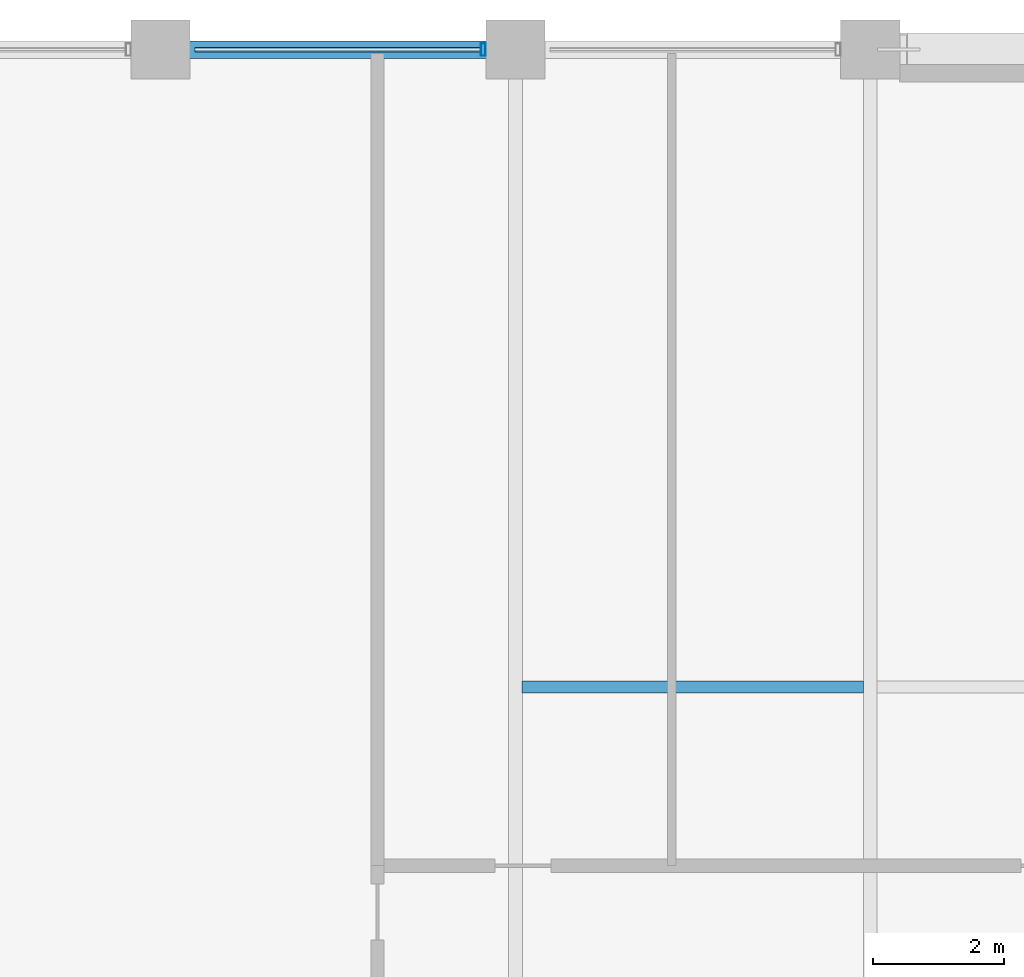
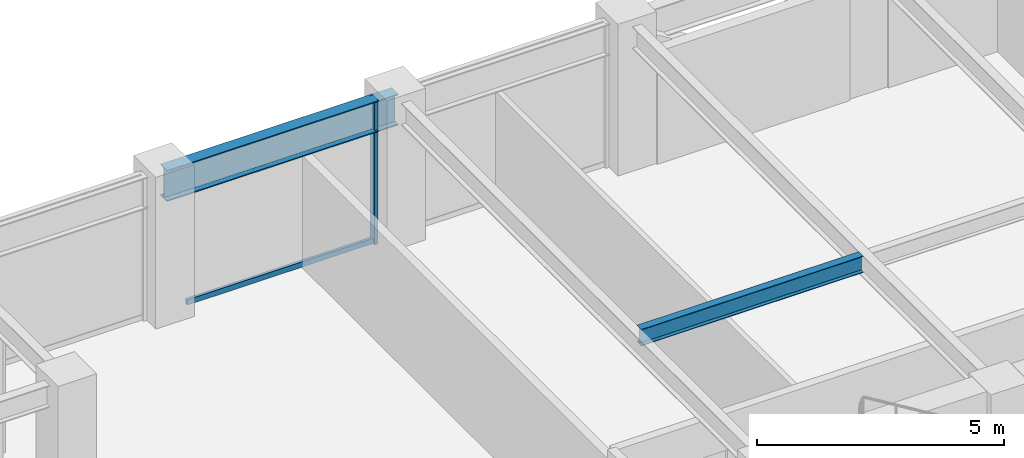
# One storey, part 19 of 32: 2 beams, 2 members, 1 element without a shape of its own.
"""IFC4 building model written with IfcOpenShell, lengths in metres."""

from ifc_helpers import new_model, si_unit, direction, frame, origin, origin_2d, place, context, subcontext, project, spatial, hollow_rectangle, i_section, extrude, material, layer, layer_set, material_profile, profile_set, type_object, element, aggregate, save


model = new_model("IFC4")

# Units and contexts
model_context = context("Model", 3, precision=1e-05, world=origin(), true_north=direction((0.0, 1.0)))
body_context = subcontext(model_context, "Body", "Model", "MODEL_VIEW")
ifc_project = project(units=[si_unit("LENGTHUNIT", "METRE"), si_unit("AREAUNIT", "SQUARE_METRE"), si_unit("VOLUMEUNIT", "CUBIC_METRE"), si_unit("PLANEANGLEUNIT", "RADIAN"), si_unit("MASSUNIT", "GRAM", prefix="KILO")], contexts=[model_context])

# Site, building, storey
site_placement = place(None, origin())
site = spatial("IfcSite", under=ifc_project, at=site_placement, CompositionType="ELEMENT")
building_placement = place(site_placement, origin())
building = spatial("IfcBuilding", under=site, at=building_placement, Name="Surkhivell Harbour Commons", CompositionType="ELEMENT")
storey_placement = place(building_placement, frame((0.0, 0.0, 201.0)))
storey = spatial("IfcBuildingStorey", under=building, at=storey_placement, Name="L52", CompositionType="ELEMENT", Elevation=201.0)

# Beams
ifc_material_1 = material(Name="Steel S355", Category="steel")
ifc_material_profile_1 = material_profile(ifc_material_1, i_section(OverallWidth=0.178955078125, OverallDepth=0.408935546875, WebThickness=0.0087890625, FlangeThickness=0.014404296875, at=origin_2d()), Name="UB406x178x67")
ifc_profile_set_1 = profile_set([ifc_material_profile_1], Name="Steel S355")
beam_type_1 = type_object("IfcBeamType", Name="BM-JST-406", PredefinedType="JOIST", material=ifc_profile_set_1)
beam_1_placement = place(storey_placement, frame((-10.696044921875, 16.199951171875, 3.365478515625), z_axis=(1.0, 0.0, 0.0), x_axis=(0.0, 1.0, 0.0)))
element("IfcBeam", 1, at=beam_1_placement, inside=storey, type_object=beam_type_1, Name="L52 North Composite Joist (-10.8)", PredefinedType="JOIST", context=body_context, shape_type="SweptSolid", body=[
    extrude(i_section(OverallWidth=0.178955078125, OverallDepth=0.408935546875, WebThickness=0.0087890625, FlangeThickness=0.014404296875, at=origin_2d()), origin(), (0.0, 0.0, 1.0), 5.192138671875),
])
ifc_material_profile_2 = material_profile(ifc_material_1, i_section(OverallWidth=0.26806640625, OverallDepth=0.77001953125, WebThickness=0.015625, FlangeThickness=0.025390625, at=origin_2d()), Name="UB762x267x197")
ifc_profile_set_2 = profile_set([ifc_material_profile_2], Name="Steel S355")
beam_type_2 = type_object("IfcBeamType", Name="BM-SPN-762", PredefinedType="SPANDREL", material=ifc_profile_set_2)
beam_2_placement = place(storey_placement, frame((-16.199951171875, 25.89990234375, 3.18505859375), z_axis=(1.0, 0.0, 0.0), x_axis=(0.0, 1.0, 0.0)))
element("IfcBeam", 2, at=beam_2_placement, inside=storey, type_object=beam_type_2, Name="L52 Tube Spandrel (-16.2,25.9)", PredefinedType="SPANDREL", context=body_context, shape_type="SweptSolid", body=[
    extrude(i_section(OverallWidth=0.26806640625, OverallDepth=0.77001953125, WebThickness=0.015625, FlangeThickness=0.025390625, at=origin_2d()), origin(), (0.0, 0.0, 1.0), 5.39990234375),
])

# Curtain wall, members
ifc_material_2 = material(Name="Anodised pale-metal aluminium and insulated glazing", Category="aluminium")
ifc_layer = layer(ifc_material_2, 0.18994140625)
ifc_layer_set = layer_set([ifc_layer], Name="Anodised pale-metal aluminium and insulated glazing")
curtain_wall_type = type_object("IfcCurtainWallType", Name="CW-SYS-Z3", PredefinedType="NOTDEFINED", material=ifc_layer_set)
curtain_wall_placement = place(storey_placement, origin())
curtain_wall = element("IfcCurtainWall", 3, at=curtain_wall_placement, inside=storey, type_object=curtain_wall_type, Name="L52 Curtain Wall CW-L52-E07S2", PredefinedType="NOTDEFINED")
ifc_material_3 = material(Name="Anodised pale-metal aluminium alloy 6063-T6", Category="aluminium")
ifc_material_profile_3 = material_profile(ifc_material_3, hollow_rectangle(XDim=0.074951171875, YDim=0.18994140625, WallThickness=0.00390625, at=origin_2d()), Name="ALU-MULL-75x190")
ifc_profile_set_3 = profile_set([ifc_material_profile_3], Name="Anodised pale-metal aluminium alloy 6063-T6")
member_type_1 = type_object("IfcMemberType", Name="CWM-190", PredefinedType="MULLION", material=ifc_profile_set_3)
member_1_placement = place(storey_placement, frame((-11.28955078125, 25.89990234375, 0.0), z_axis=(0.0, 0.0, 1.0), x_axis=(-1.0, 0.0, 0.0)))
member_1 = element("IfcMember", 4, at=member_1_placement, type_object=member_type_1, Name="CW-Z3 mullion 2", PredefinedType="MULLION", context=body_context, shape_type="SweptSolid", body=[
    extrude(hollow_rectangle(XDim=0.074951171875, YDim=0.18994140625, WallThickness=0.00390625, at=origin_2d()), origin(), (0.0, 0.0, 1.0), 3.570068359375),
])
ifc_material_4 = material(Name="Champagne anodised aluminium alloy 6063-T6", Category="aluminium")
ifc_material_profile_4 = material_profile(ifc_material_4, hollow_rectangle(XDim=0.070068359375, YDim=0.1298828125, WallThickness=0.00341796875, at=origin_2d()), Name="ALU-TRAN-70x130")
ifc_profile_set_4 = profile_set([ifc_material_profile_4], Name="Champagne anodised aluminium alloy 6063-T6")
member_type_2 = type_object("IfcMemberType", Name="CWT-130", PredefinedType="USERDEFINED", material=ifc_profile_set_4)
member_2_placement = place(storey_placement, frame((-11.326904296875, 25.89990234375, 0.06494140625), z_axis=(-1.0, 0.0, 0.0), x_axis=(0.0, -1.0, 0.0)))
member_2 = element("IfcMember", 5, at=member_2_placement, type_object=member_type_2, Name="CW-Z3 transom 2.1", ObjectType="TRANSOM", PredefinedType="USERDEFINED", context=body_context, shape_type="SweptSolid", body=[
    extrude(hollow_rectangle(XDim=0.070068359375, YDim=0.1298828125, WallThickness=0.00341796875, at=origin_2d()), origin(), (0.0, 0.0, 1.0), 4.34619140625),
])
aggregate(curtain_wall, [member_1, member_2])

save(model, "model.ifc")
